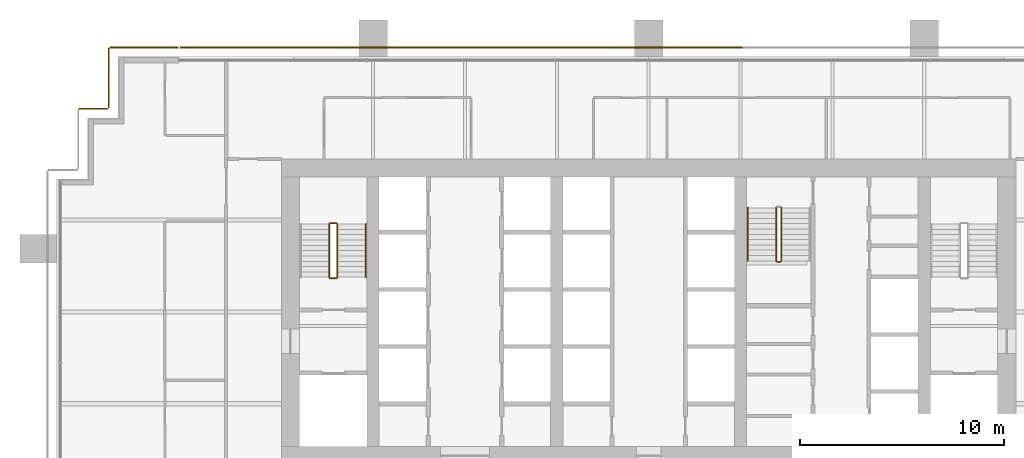
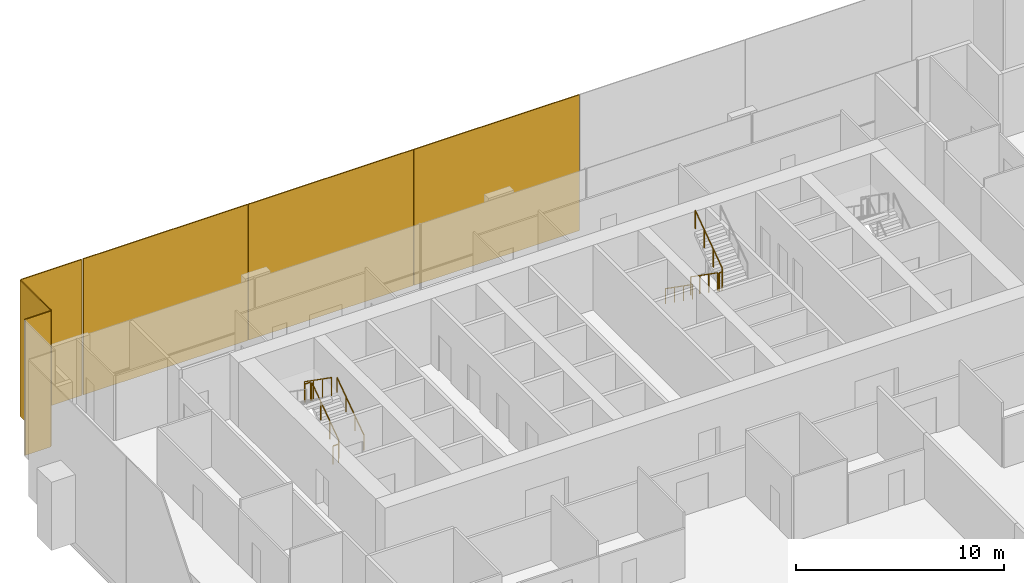
# One storey, part 16 of 17: 9 railings, 6 coverings.
"""IFC4 building model written with IfcOpenShell, lengths in metres."""

from ifc_helpers import new_model, si_unit, direction, frame, origin, origin_2d, place, context, subcontext, project, spatial, rectangle, extrude, material, layer, layer_set, type_object, element, save


model = new_model("IFC4")

# Units and contexts
model_context = context("Model", 3, precision=1e-05, world=origin(), true_north=direction((0.0, 1.0)))
body_context = subcontext(model_context, "Body", "Model", "MODEL_VIEW")
ifc_project = project(units=[si_unit("LENGTHUNIT", "METRE"), si_unit("AREAUNIT", "SQUARE_METRE"), si_unit("VOLUMEUNIT", "CUBIC_METRE"), si_unit("PLANEANGLEUNIT", "RADIAN"), si_unit("MASSUNIT", "GRAM", prefix="KILO")], contexts=[model_context])

# Site, building, storey
site_placement = place(None, origin())
site = spatial("IfcSite", under=ifc_project, at=site_placement, CompositionType="ELEMENT")
building_placement = place(site_placement, origin())
building = spatial("IfcBuilding", under=site, at=building_placement, Name="Rattan Terrace Tower", CompositionType="ELEMENT")
storey_placement = place(building_placement, frame((0.0, 0.0, 126.10009765625)))
storey = spatial("IfcBuildingStorey", under=building, at=storey_placement, Name="L28", CompositionType="ELEMENT", Elevation=126.10009765625)

# Railings
ifc_material_1 = material(Name="Powder-coated steel guard", Category="steel")
railing_type_1 = type_object("IfcRailingType", Name="Core stair guard", PredefinedType="GUARDRAIL", material=ifc_material_1)
railing_1_placement = place(storey_placement, frame((-15.25, 1.699951171875, 0.181640625)))
element("IfcRailing", 1, at=railing_1_placement, inside=storey, type_object=railing_type_1, Name="L28 S1 stair guard 1", PredefinedType="GUARDRAIL", context=body_context, shape_type="SweptSolid", body=[
    extrude(rectangle(XDim=0.048095703125, YDim=0.048095703125, at=origin_2d()), frame((0.0, 0.0, 1.076171875), z_axis=(0.0, 0.819484887739, 0.573100792852), x_axis=(-1.0, 0.0, 0.0)), (0.0, 0.0, 1.0), 3.1728515625),
    extrude(rectangle(XDim=0.0419921875, YDim=0.0419921875, at=origin_2d()), origin(), (0.0, 0.0, 1.0), 1.052001953125),
    extrude(rectangle(XDim=0.0419921875, YDim=0.0419921875, at=origin_2d()), frame((0.0, 0.86669921875, 0.606201171875)), (0.0, 0.0, 1.0), 1.052001953125),
    extrude(rectangle(XDim=0.0419921875, YDim=0.0419921875, at=origin_2d()), frame((0.0, 1.7333984375, 1.212158203125)), (0.0, 0.0, 1.0), 1.052001953125),
    extrude(rectangle(XDim=0.0419921875, YDim=0.0419921875, at=origin_2d()), frame((0.0, 2.60009765625, 1.818359375)), (0.0, 0.0, 1.0), 1.052001953125),
])
railing_2_placement = place(storey_placement, frame((-15.300048828125, 4.35009765625, 2.0)))
element("IfcRailing", 2, at=railing_2_placement, inside=storey, type_object=railing_type_1, Name="L28 S1 stair guard 2", PredefinedType="GUARDRAIL", context=body_context, shape_type="SweptSolid", body=[
    extrude(rectangle(XDim=0.048095703125, YDim=0.048095703125, at=origin_2d()), frame((0.0, 0.0, 1.076171875), z_axis=(-1.0, 0.0, 0.0), x_axis=(0.0, -1.0, 0.0)), (0.0, 0.0, 1.0), 0.300048828125),
    extrude(rectangle(XDim=0.0419921875, YDim=0.0419921875, at=origin_2d()), origin(), (0.0, 0.0, 1.0), 1.052001953125),
    extrude(rectangle(XDim=0.0419921875, YDim=0.0419921875, at=origin_2d()), frame((-0.300048828125, 0.0, 0.0)), (0.0, 0.0, 1.0), 1.052001953125),
])
railing_3_placement = place(storey_placement, frame((-15.64990234375, 4.300048828125, 2.181640625)))
element("IfcRailing", 3, at=railing_3_placement, inside=storey, type_object=railing_type_1, Name="L28 S1 stair guard 3", PredefinedType="GUARDRAIL", context=body_context, shape_type="SweptSolid", body=[
    extrude(rectangle(XDim=0.048095703125, YDim=0.048095703125, at=origin_2d()), frame((0.0, 0.0, 1.076171875), z_axis=(0.0, -0.819484887739, 0.573100792852), x_axis=(1.0, 0.0, 0.0)), (0.0, 0.0, 1.0), 3.1728515625),
    extrude(rectangle(XDim=0.0419921875, YDim=0.0419921875, at=origin_2d()), origin(), (0.0, 0.0, 1.0), 1.052001953125),
    extrude(rectangle(XDim=0.0419921875, YDim=0.0419921875, at=origin_2d()), frame((0.0, -0.86669921875, 0.606201171875)), (0.0, 0.0, 1.0), 1.052001953125),
    extrude(rectangle(XDim=0.0419921875, YDim=0.0419921875, at=origin_2d()), frame((0.0, -1.7333984375, 1.212158203125)), (0.0, 0.0, 1.0), 1.052001953125),
    extrude(rectangle(XDim=0.0419921875, YDim=0.0419921875, at=origin_2d()), frame((0.0, -2.60009765625, 1.818359375)), (0.0, 0.0, 1.0), 1.052001953125),
])
railing_4_placement = place(storey_placement, frame((-15.300048828125, 1.64990234375, 0.0)))
element("IfcRailing", 4, at=railing_4_placement, inside=storey, type_object=railing_type_1, Name="L28 S1 stair guard 4", PredefinedType="GUARDRAIL", context=body_context, shape_type="SweptSolid", body=[
    extrude(rectangle(XDim=0.048095703125, YDim=0.048095703125, at=origin_2d()), frame((0.0, 0.0, 1.076171875), z_axis=(-1.0, 0.0, 0.0), x_axis=(0.0, -1.0, 0.0)), (0.0, 0.0, 1.0), 0.300048828125),
    extrude(rectangle(XDim=0.0419921875, YDim=0.0419921875, at=origin_2d()), origin(), (0.0, 0.0, 1.0), 1.052001953125),
    extrude(rectangle(XDim=0.0419921875, YDim=0.0419921875, at=origin_2d()), frame((-0.300048828125, 0.0, 0.0)), (0.0, 0.0, 1.0), 1.052001953125),
])
railing_5_placement = place(storey_placement, frame((6.25, 5.10009765625, 0.181640625)))
element("IfcRailing", 5, at=railing_5_placement, inside=storey, type_object=railing_type_1, Name="L28 S3 stair guard 1", PredefinedType="GUARDRAIL", context=body_context, shape_type="SweptSolid", body=[
    extrude(rectangle(XDim=0.048095703125, YDim=0.048095703125, at=origin_2d()), frame((0.0, 0.0, 1.076171875), z_axis=(0.0, -0.819484887739, 0.573100792852), x_axis=(1.0, 0.0, 0.0)), (0.0, 0.0, 1.0), 3.1728515625),
    extrude(rectangle(XDim=0.0419921875, YDim=0.0419921875, at=origin_2d()), origin(), (0.0, 0.0, 1.0), 1.052001953125),
    extrude(rectangle(XDim=0.0419921875, YDim=0.0419921875, at=origin_2d()), frame((0.0, -0.86669921875, 0.606201171875)), (0.0, 0.0, 1.0), 1.052001953125),
    extrude(rectangle(XDim=0.0419921875, YDim=0.0419921875, at=origin_2d()), frame((0.0, -1.7333984375, 1.212158203125)), (0.0, 0.0, 1.0), 1.052001953125),
    extrude(rectangle(XDim=0.0419921875, YDim=0.0419921875, at=origin_2d()), frame((0.0, -2.60009765625, 1.818359375)), (0.0, 0.0, 1.0), 1.052001953125),
])
railing_6_placement = place(storey_placement, frame((6.300048828125, 2.449951171875, 2.0)))
element("IfcRailing", 6, at=railing_6_placement, inside=storey, type_object=railing_type_1, Name="L28 S3 stair guard 2", PredefinedType="GUARDRAIL", context=body_context, shape_type="SweptSolid", body=[
    extrude(rectangle(XDim=0.048095703125, YDim=0.048095703125, at=origin_2d()), frame((0.0, 0.0, 1.076171875), z_axis=(1.0, 0.0, 0.0), x_axis=(0.0, 1.0, 0.0)), (0.0, 0.0, 1.0), 0.14990234375),
    extrude(rectangle(XDim=0.0419921875, YDim=0.0419921875, at=origin_2d()), origin(), (0.0, 0.0, 1.0), 1.052001953125),
    extrude(rectangle(XDim=0.0419921875, YDim=0.0419921875, at=origin_2d()), frame((0.14990234375, 0.0, 0.0)), (0.0, 0.0, 1.0), 1.052001953125),
])
railing_7_placement = place(storey_placement, frame((6.5, 2.5, 2.181640625)))
element("IfcRailing", 7, at=railing_7_placement, inside=storey, type_object=railing_type_1, Name="L28 S3 stair guard 3", PredefinedType="GUARDRAIL", context=body_context, shape_type="SweptSolid", body=[
    extrude(rectangle(XDim=0.048095703125, YDim=0.048095703125, at=origin_2d()), frame((0.0, 0.0, 1.076171875), z_axis=(0.0, 0.819484887739, 0.573100792852), x_axis=(-1.0, 0.0, 0.0)), (0.0, 0.0, 1.0), 3.1728515625),
    extrude(rectangle(XDim=0.0419921875, YDim=0.0419921875, at=origin_2d()), origin(), (0.0, 0.0, 1.0), 1.052001953125),
    extrude(rectangle(XDim=0.0419921875, YDim=0.0419921875, at=origin_2d()), frame((0.0, 0.86669921875, 0.606201171875)), (0.0, 0.0, 1.0), 1.052001953125),
    extrude(rectangle(XDim=0.0419921875, YDim=0.0419921875, at=origin_2d()), frame((0.0, 1.7333984375, 1.212158203125)), (0.0, 0.0, 1.0), 1.052001953125),
    extrude(rectangle(XDim=0.0419921875, YDim=0.0419921875, at=origin_2d()), frame((0.0, 2.60009765625, 1.818359375)), (0.0, 0.0, 1.0), 1.052001953125),
])
ifc_material_2 = material(Name="Powder-coated steel handrail", Category="steel")
railing_type_2 = type_object("IfcRailingType", Name="Core stair handrail", PredefinedType="HANDRAIL", material=ifc_material_2)
railing_8_placement = place(storey_placement, frame((-13.85009765625, 1.699951171875, 0.181640625)))
element("IfcRailing", 8, at=railing_8_placement, inside=storey, type_object=railing_type_2, Name="L28 S1 stair handrail 1", PredefinedType="HANDRAIL", context=body_context, shape_type="SweptSolid", body=[
    extrude(rectangle(XDim=0.048095703125, YDim=0.048095703125, at=origin_2d()), frame((0.0, 0.0, 0.8759765625), z_axis=(0.0, 0.819484887739, 0.573100792852), x_axis=(-1.0, 0.0, 0.0)), (0.0, 0.0, 1.0), 3.1728515625),
    extrude(rectangle(XDim=0.0419921875, YDim=0.0419921875, at=origin_2d()), origin(), (0.0, 0.0, 1.0), 0.851806640625),
    extrude(rectangle(XDim=0.0419921875, YDim=0.0419921875, at=origin_2d()), frame((0.0, 0.86669921875, 0.606201171875)), (0.0, 0.0, 1.0), 0.851806640625),
    extrude(rectangle(XDim=0.0419921875, YDim=0.0419921875, at=origin_2d()), frame((0.0, 1.7333984375, 1.212158203125)), (0.0, 0.0, 1.0), 0.851806640625),
    extrude(rectangle(XDim=0.0419921875, YDim=0.0419921875, at=origin_2d()), frame((0.0, 2.60009765625, 1.818359375)), (0.0, 0.0, 1.0), 0.851806640625),
])
railing_9_placement = place(storey_placement, frame((4.85009765625, 5.10009765625, 0.181640625)))
element("IfcRailing", 9, at=railing_9_placement, inside=storey, type_object=railing_type_2, Name="L28 S3 stair handrail 1", PredefinedType="HANDRAIL", context=body_context, shape_type="SweptSolid", body=[
    extrude(rectangle(XDim=0.048095703125, YDim=0.048095703125, at=origin_2d()), frame((0.0, 0.0, 0.8759765625), z_axis=(0.0, -0.819484887739, 0.573100792852), x_axis=(1.0, 0.0, 0.0)), (0.0, 0.0, 1.0), 3.1728515625),
    extrude(rectangle(XDim=0.0419921875, YDim=0.0419921875, at=origin_2d()), origin(), (0.0, 0.0, 1.0), 0.851806640625),
    extrude(rectangle(XDim=0.0419921875, YDim=0.0419921875, at=origin_2d()), frame((0.0, -0.86669921875, 0.606201171875)), (0.0, 0.0, 1.0), 0.851806640625),
    extrude(rectangle(XDim=0.0419921875, YDim=0.0419921875, at=origin_2d()), frame((0.0, -1.7333984375, 1.212158203125)), (0.0, 0.0, 1.0), 0.851806640625),
    extrude(rectangle(XDim=0.0419921875, YDim=0.0419921875, at=origin_2d()), frame((0.0, -2.60009765625, 1.818359375)), (0.0, 0.0, 1.0), 0.851806640625),
])

# Coverings
ifc_material_3 = material(Name="Perforated terracotta", Category="masonry")
ifc_layer = layer(ifc_material_3, 0.06005859375)
ifc_layer_set = layer_set([ifc_layer], Name="Facade Terracotta Screen Panel")
covering_type = type_object("IfcCoveringType", Name="Facade Terracotta Screen Panel", PredefinedType="CLADDING", material=ifc_layer_set)
for number, where, z_axis, x_axis, name in (
    (10, (-0.00244140625, 12.949951171875, -0.190185546875), (0.0, 0.0, 1.0), (-1.0, 0.0, 0.0), "OUTER SKIN panel L28-17"),
    (11, (-9.20361328125, 12.949951171875, -0.190185546875), (0.0, 0.0, 1.0), (-1.0, 0.0, 0.0), "OUTER SKIN panel L28-18"),
):
    element("IfcCovering", number, at=place(storey_placement, frame(where, z_axis=z_axis, x_axis=x_axis)), inside=storey, type_object=covering_type, Name=name, PredefinedType="CLADDING", context=body_context, shape_type="SweptSolid", body=[
        extrude(rectangle(XDim=9.180908203125, YDim=0.06005859375, at=origin_2d()), origin(), (0.0, 0.0, 1.0), 7.97998046875),
    ])
covering_1_placement = place(storey_placement, frame((-18.386962890625, 12.949951171875, -0.190185546875), z_axis=(0.0, 0.0, 1.0), x_axis=(-1.0, 0.0, 0.0)))
element("IfcCovering", 12, at=covering_1_placement, inside=storey, type_object=covering_type, Name="OUTER SKIN panel L28-19", PredefinedType="CLADDING", context=body_context, shape_type="SweptSolid", body=[
    extrude(rectangle(XDim=9.14599609375, YDim=0.06005859375, at=origin_2d()), origin(), (0.0, 0.0, 1.0), 7.97998046875),
])
covering_2_placement = place(storey_placement, frame((-24.72509765625, 12.949951171875, -0.190185546875), z_axis=(0.0, 0.0, 1.0), x_axis=(-1.0, 0.0, 0.0)))
element("IfcCovering", 13, at=covering_2_placement, inside=storey, type_object=covering_type, Name="OUTER SKIN panel L28-20", PredefinedType="CLADDING", context=body_context, shape_type="SweptSolid", body=[
    extrude(rectangle(XDim=3.3701171875, YDim=0.06005859375, at=origin_2d()), origin(), (0.0, 0.0, 1.0), 7.97998046875),
])
covering_3_placement = place(storey_placement, frame((-26.449951171875, 11.449951171875, -0.190185546875), z_axis=(0.0, 0.0, 1.0), x_axis=(0.0, -1.0, 0.0)))
element("IfcCovering", 14, at=covering_3_placement, inside=storey, type_object=covering_type, Name="OUTER SKIN panel L28-21", PredefinedType="CLADDING", context=body_context, shape_type="SweptSolid", body=[
    extrude(rectangle(XDim=2.919921875, YDim=0.06005859375, at=origin_2d()), origin(), (0.0, 0.0, 1.0), 7.97998046875),
])
covering_4_placement = place(storey_placement, frame((-27.199951171875, 9.949951171875, -0.190185546875), z_axis=(0.0, 0.0, 1.0), x_axis=(-1.0, 0.0, 0.0)))
element("IfcCovering", 15, at=covering_4_placement, inside=storey, type_object=covering_type, Name="OUTER SKIN panel L28-22", PredefinedType="CLADDING", context=body_context, shape_type="SweptSolid", body=[
    extrude(rectangle(XDim=1.419921875, YDim=0.06005859375, at=origin_2d()), origin(), (0.0, 0.0, 1.0), 7.97998046875),
])

save(model, "model.ifc")
